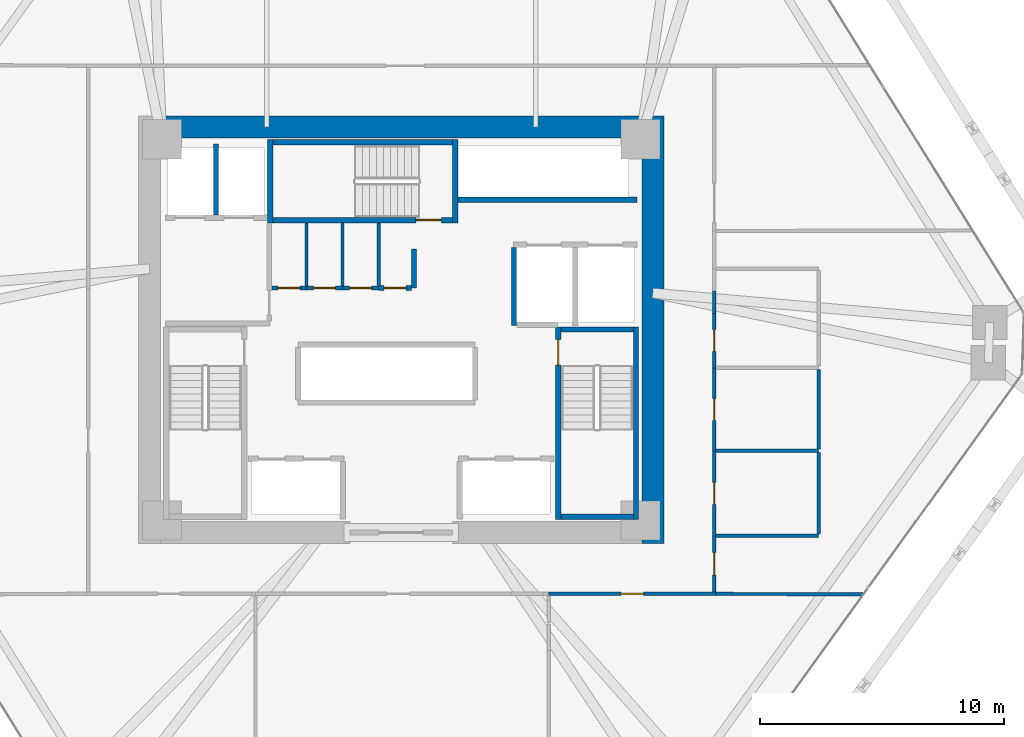
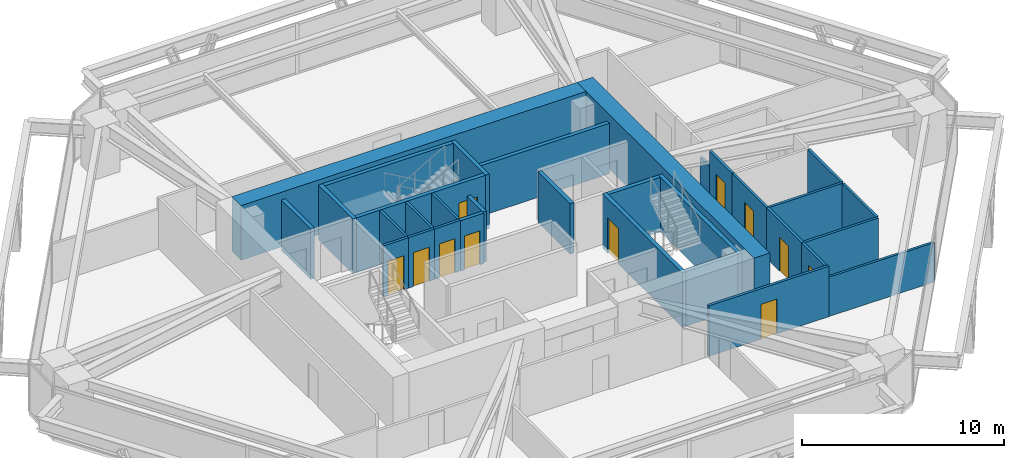
# One storey, part 12 of 14: 32 walls, 11 doors, 11 openings.
"""IFC4 building model written with IfcOpenShell, lengths in metres."""

from ifc_helpers import new_model, si_unit, direction, frame, frame_2d, origin, place, context, subcontext, project, spatial, rectangle, extrude, source, transform, mapped, material, layer, layer_set, type_object, type_shapes, element, fill, save


model = new_model("IFC4")

# Units and contexts
model_context = context("Model", 3, precision=1e-05, world=origin(), true_north=direction((0.0, 1.0)))
body_context = subcontext(model_context, "Body", "Model", "MODEL_VIEW")
ifc_project = project(units=[si_unit("LENGTHUNIT", "METRE"), si_unit("AREAUNIT", "SQUARE_METRE"), si_unit("VOLUMEUNIT", "CUBIC_METRE"), si_unit("PLANEANGLEUNIT", "RADIAN"), si_unit("MASSUNIT", "GRAM", prefix="KILO")], contexts=[model_context])

# Site, building, storey
site_placement = place(None, origin())
site = spatial("IfcSite", under=ifc_project, at=site_placement, CompositionType="ELEMENT")
building_placement = place(site_placement, origin())
building = spatial("IfcBuilding", under=site, at=building_placement, Name="Durnholm Broadcast Tower", CompositionType="ELEMENT")
storey_placement = place(building_placement, frame((0.0, 0.0, 68.699951171875)))
storey = spatial("IfcBuildingStorey", under=building, at=storey_placement, Name="L17", CompositionType="ELEMENT", Elevation=68.699951171875)

# Walls
ifc_material_1 = material(Name="Concrete C70/85", Category="concrete")
ifc_layer_1 = layer(ifc_material_1, 0.89990234375)
ifc_layer_set_1 = layer_set([ifc_layer_1], Name="Concrete C70/85")
wall_type_1 = type_object("IfcWallType", Name="WALL-CW-900", PredefinedType="SHEAR", material=ifc_layer_set_1)
wall_1_placement = place(storey_placement, frame((10.300048828125, -8.75, 0.0), z_axis=(0.0, 0.0, 1.0), x_axis=(0.0, 1.0, 0.0)))
element("IfcWall", 1, at=wall_1_placement, inside=storey, type_object=wall_type_1, Name="L17 central core shear wall CW-EAST", PredefinedType="SHEAR", context=body_context, shape_type="SweptSolid", body=[
    extrude(rectangle(XDim=17.5, YDim=0.89990234375, at=frame_2d((8.75, 0.0))), origin(), (0.0, 0.0, 1.0), 3.300048828125),
])
wall_2_placement = place(storey_placement, frame((-9.85009765625, 8.300048828125, 0.0), z_axis=(0.0, 0.0, 1.0), x_axis=(1.0, 0.0, 0.0)))
element("IfcWall", 2, at=wall_2_placement, inside=storey, type_object=wall_type_1, Name="L17 central core shear wall CW-N", PredefinedType="SHEAR", context=body_context, shape_type="SweptSolid", body=[
    extrude(rectangle(XDim=19.7001953125, YDim=0.89990234375, at=frame_2d((9.85009765625, 0.0))), origin(), (0.0, 0.0, 1.0), 3.300048828125),
])
ifc_material_2 = material(Name="Fire-Rated Gypsum Shaftwall", Category="concrete")
ifc_layer_2 = layer(ifc_material_2, 0.199951171875)
ifc_layer_set_2 = layer_set([ifc_layer_2], Name="Fire-Rated Gypsum Shaftwall")
wall_type_2 = type_object("IfcWallType", Name="WALL-LOB-200", PredefinedType="SOLIDWALL", material=ifc_layer_set_2)
wall_3_placement = place(storey_placement, frame((0.52001953125, 3.300048828125, 0.0), z_axis=(0.0, 0.0, 1.0), x_axis=(0.0, -1.0, 0.0)))
element("IfcWall", 3, at=wall_3_placement, inside=storey, type_object=wall_type_2, Name="L17 Core Signal Sync Room corridor partition", PredefinedType="SOLIDWALL", context=body_context, shape_type="SweptSolid", body=[
    extrude(rectangle(XDim=1.590087890625, YDim=0.199951171875, at=frame_2d((0.794921875, 0.0))), origin(), (0.0, 0.0, 1.0), 3.045166015625),
])

# Wall, opening, door
wall_4_placement = place(storey_placement, frame((0.416015625, 1.7099609375, 0.0), z_axis=(0.0, 0.0, 1.0), x_axis=(-1.0, 0.0, 0.0)))
wall_4 = element("IfcWall", 4, at=wall_4_placement, inside=storey, type_object=wall_type_2, Name="L17 Core Signal Sync Room corridor partition", PredefinedType="SOLIDWALL", context=body_context, shape_type="SweptSolid", body=[
    extrude(rectangle(XDim=1.3359375, YDim=0.199951171875, at=frame_2d((0.66796875, 0.0))), origin(), (0.0, 0.0, 1.0), 3.045166015625),
])
opening_1_placement = place(wall_4_placement, frame((0.218017578125, 0.0, 0.0)))
opening_1 = element("IfcOpeningElement", 5, at=opening_1_placement, cuts=wall_4, Name="Opening DC-60L", PredefinedType="OPENING", context=body_context, shape_type="SweptSolid", body=[
    extrude(rectangle(XDim=0.89990234375, YDim=2.050048828125, at=frame_2d((0.449951171875, 1.02490234375))), frame((0.0, 0.10986328125, 0.0), z_axis=(0.0, -1.0, 0.0), x_axis=(1.0, 0.0, 0.0)), (0.0, 0.0, 1.0), 0.219970703125),
])
ifc_material_3 = material(Name="Fire-Rated Core Service Door", Category="steel")
ifc_layer_3 = layer(ifc_material_3, 0.050048828125)
ifc_layer_set_3 = layer_set([ifc_layer_3], Name="Fire-Rated Core Service Door")
door_type_1 = type_object("IfcDoorType", Name="DOOR-CORE-FD60-L", OperationType="NOTDEFINED", PredefinedType="DOOR", material=ifc_layer_set_3)
shared_shape_1 = source(origin(), body_context, "Body", "SweptSolid", [
    extrude(rectangle(XDim=0.89990234375, YDim=2.050048828125, at=frame_2d((0.449951171875, 1.02490234375))), frame((0.0, 0.02490234375, 0.0), z_axis=(0.0, -1.0, 0.0), x_axis=(1.0, 0.0, 0.0)), (0.0, 0.0, 1.0), 0.050048828125),
])
type_shapes(door_type_1, [shared_shape_1])
door_1_placement = place(opening_1_placement, origin())
door_1 = element("IfcDoor", 6, at=door_1_placement, inside=storey, type_object=door_type_1, Name="L17 Core Signal Sync Room entrance door", OperationType="SINGLE_SWING_LEFT", OverallHeight=2.050048828125, OverallWidth=0.89990234375, PredefinedType="DOOR", context=body_context, shape_type="MappedRepresentation", body=[
    mapped(shared_shape_1, transform((0.0, 0.0, 0.0), x_axis=(1.0, 0.0, 0.0), y_axis=(0.0, 1.0, 0.0), z_axis=(0.0, 0.0, 1.0), scale=1.0)),
])
fill(opening_1, door_1)

# Walls
ifc_material_4 = material(Name="Gypsum Metal Stud Partition", Category="concrete")
ifc_layer_4 = layer(ifc_material_4, 0.135009765625)
ifc_layer_set_4 = layer_set([ifc_layer_4], Name="Gypsum Metal Stud Partition")
wall_type_3 = type_object("IfcWallType", Name="WALL-PART-135", PredefinedType="PARTITIONING", material=ifc_layer_set_4)
for number, where, z_axis, x_axis, name in (
    (7, (-3.8798828125, 4.375, 0.0), (0.0, 0.0, 1.0), (0.0, -1.0, 0.0), "L17 room dividing partition 1.2"),
    (8, (-2.39990234375, 4.375, 0.0), (0.0, 0.0, 1.0), (0.0, -1.0, 0.0), "L17 room dividing partition 2.3"),
):
    element("IfcWall", number, at=place(storey_placement, frame(where, z_axis=z_axis, x_axis=x_axis)), inside=storey, type_object=wall_type_3, Name=name, PredefinedType="PARTITIONING", context=body_context, shape_type="SweptSolid", body=[
        extrude(rectangle(XDim=2.5859375, YDim=0.135009765625, at=frame_2d((1.29296875, 0.0))), origin(), (0.0, 0.0, 1.0), 3.045166015625),
    ])
wall_5_placement = place(storey_placement, frame((-0.919921875, 4.375, 0.0), z_axis=(0.0, 0.0, 1.0), x_axis=(0.0, -1.0, 0.0)))
element("IfcWall", 9, at=wall_5_placement, inside=storey, type_object=wall_type_3, Name="L17 room dividing partition 3.4", PredefinedType="PARTITIONING", context=body_context, shape_type="SweptSolid", body=[
    extrude(rectangle(XDim=2.56103515625, YDim=0.135009765625, at=frame_2d((1.280517578125, 0.0))), origin(), (0.0, 0.0, 1.0), 3.045166015625),
])
wall_6_placement = place(storey_placement, frame((12.889892578125, -10.810302734375, 0.0), z_axis=(0.0, 0.0, 1.0), x_axis=(0.999992607823, -0.003845035728, 0.0)))
element("IfcWall", 10, at=wall_6_placement, inside=storey, type_object=wall_type_3, Name="L17 room dividing partition 11.13", PredefinedType="PARTITIONING", context=body_context, shape_type="SweptSolid", body=[
    extrude(rectangle(XDim=6.031982421875, YDim=0.135009765625, at=frame_2d((3.01611328125, 0.0))), origin(), (0.0, 0.0, 1.0), 2.380126953125),
])

# Wall, opening, door
ifc_material_5 = material(Name="Acoustic Gypsum Stud Partition", Category="concrete")
ifc_layer_5 = layer(ifc_material_5, 0.14990234375)
ifc_layer_set_5 = layer_set([ifc_layer_5], Name="Acoustic Gypsum Stud Partition")
wall_type_4 = type_object("IfcWallType", Name="WALL-PART-150", PredefinedType="PARTITIONING", material=ifc_layer_set_5)
wall_7_placement = place(storey_placement, frame((-3.8798828125, 1.7099609375, 0.0), z_axis=(0.0, 0.0, 1.0), x_axis=(-1.0, 0.0, 0.0)))
wall_7 = element("IfcWall", 11, at=wall_7_placement, inside=storey, type_object=wall_type_4, Name="L17 Core First Aid Store corridor partition", PredefinedType="PARTITIONING", context=body_context, shape_type="SweptSolid", body=[
    extrude(rectangle(XDim=1.416015625, YDim=0.14990234375, at=frame_2d((0.7080078125, 0.0))), origin(), (0.0, 0.0, 1.0), 3.045166015625),
])
opening_2_placement = place(wall_7_placement, frame((0.258056640625, 0.0, 0.0)))
opening_2 = element("IfcOpeningElement", 12, at=opening_2_placement, cuts=wall_7, Name="Opening DC-60R", PredefinedType="OPENING", context=body_context, shape_type="SweptSolid", body=[
    extrude(rectangle(XDim=0.89990234375, YDim=2.050048828125, at=frame_2d((0.449951171875, 1.02490234375))), frame((0.0, 0.0849609375, 0.0), z_axis=(0.0, -1.0, 0.0), x_axis=(1.0, 0.0, 0.0)), (0.0, 0.0, 1.0), 0.169921875),
])
ifc_layer_6 = layer(ifc_material_3, 0.050048828125)
ifc_layer_set_6 = layer_set([ifc_layer_6], Name="Fire-Rated Core Service Door")
door_type_2 = type_object("IfcDoorType", Name="DOOR-CORE-FD60-R", OperationType="NOTDEFINED", PredefinedType="DOOR", material=ifc_layer_set_6)
shared_shape_2 = source(origin(), body_context, "Body", "SweptSolid", [
    extrude(rectangle(XDim=0.89990234375, YDim=2.050048828125, at=frame_2d((0.449951171875, 1.02490234375))), frame((0.0, 0.02490234375, 0.0), z_axis=(0.0, -1.0, 0.0), x_axis=(1.0, 0.0, 0.0)), (0.0, 0.0, 1.0), 0.050048828125),
])
type_shapes(door_type_2, [shared_shape_2])
door_2_placement = place(opening_2_placement, origin())
door_2 = element("IfcDoor", 13, at=door_2_placement, inside=storey, type_object=door_type_2, Name="L17 Core First Aid Store entrance door", OperationType="SINGLE_SWING_RIGHT", OverallHeight=2.050048828125, OverallWidth=0.89990234375, PredefinedType="DOOR", context=body_context, shape_type="MappedRepresentation", body=[
    mapped(shared_shape_2, transform((0.0, 0.0, 0.0), x_axis=(1.0, 0.0, 0.0), y_axis=(0.0, 1.0, 0.0), z_axis=(0.0, 0.0, 1.0), scale=1.0)),
])
fill(opening_2, door_2)

wall_8_placement = place(storey_placement, frame((-2.39990234375, 1.7099609375, 0.0), z_axis=(0.0, 0.0, 1.0), x_axis=(-1.0, 0.0, 0.0)))
wall_8 = element("IfcWall", 14, at=wall_8_placement, inside=storey, type_object=wall_type_4, Name="L17 Core Linen Supply Closet corridor partition", PredefinedType="PARTITIONING", context=body_context, shape_type="SweptSolid", body=[
    extrude(rectangle(XDim=1.47998046875, YDim=0.14990234375, at=frame_2d((0.739990234375, 0.0))), origin(), (0.0, 0.0, 1.0), 3.045166015625),
])
opening_3_placement = place(wall_8_placement, frame((0.2900390625, 0.0, 0.0)))
opening_3 = element("IfcOpeningElement", 15, at=opening_3_placement, cuts=wall_8, Name="Opening DC-60L", PredefinedType="OPENING", context=body_context, shape_type="SweptSolid", body=[
    extrude(rectangle(XDim=0.89990234375, YDim=2.050048828125, at=frame_2d((0.449951171875, 1.02490234375))), frame((0.0, 0.0849609375, 0.0), z_axis=(0.0, -1.0, 0.0), x_axis=(1.0, 0.0, 0.0)), (0.0, 0.0, 1.0), 0.169921875),
])
door_3_placement = place(opening_3_placement, origin())
door_3 = element("IfcDoor", 16, at=door_3_placement, inside=storey, type_object=door_type_1, Name="L17 Core Linen Supply Closet entrance door", OperationType="SINGLE_SWING_LEFT", OverallHeight=2.050048828125, OverallWidth=0.89990234375, PredefinedType="DOOR", context=body_context, shape_type="MappedRepresentation", body=[
    mapped(shared_shape_1, transform((0.0, 0.0, 0.0), x_axis=(1.0, 0.0, 0.0), y_axis=(0.0, 1.0, 0.0), z_axis=(0.0, 0.0, 1.0), scale=1.0)),
])
fill(opening_3, door_3)

wall_9_placement = place(storey_placement, frame((-0.919921875, 1.7099609375, 0.0), z_axis=(0.0, 0.0, 1.0), x_axis=(-1.0, 0.0, 0.0)))
wall_9 = element("IfcWall", 17, at=wall_9_placement, inside=storey, type_object=wall_type_4, Name="L17 Core Safety Gear Store corridor partition", PredefinedType="PARTITIONING", context=body_context, shape_type="SweptSolid", body=[
    extrude(rectangle(XDim=1.47998046875, YDim=0.14990234375, at=frame_2d((0.739990234375, 0.0))), origin(), (0.0, 0.0, 1.0), 3.045166015625),
])
opening_4_placement = place(wall_9_placement, frame((0.2900390625, 0.0, 0.0)))
opening_4 = element("IfcOpeningElement", 18, at=opening_4_placement, cuts=wall_9, Name="Opening DC-60R", PredefinedType="OPENING", context=body_context, shape_type="SweptSolid", body=[
    extrude(rectangle(XDim=0.89990234375, YDim=2.050048828125, at=frame_2d((0.449951171875, 1.02490234375))), frame((0.0, 0.0849609375, 0.0), z_axis=(0.0, -1.0, 0.0), x_axis=(1.0, 0.0, 0.0)), (0.0, 0.0, 1.0), 0.169921875),
])
door_4_placement = place(opening_4_placement, origin())
door_4 = element("IfcDoor", 19, at=door_4_placement, inside=storey, type_object=door_type_2, Name="L17 Core Safety Gear Store entrance door", OperationType="SINGLE_SWING_RIGHT", OverallHeight=2.050048828125, OverallWidth=0.89990234375, PredefinedType="DOOR", context=body_context, shape_type="MappedRepresentation", body=[
    mapped(shared_shape_2, transform((0.0, 0.0, 0.0), x_axis=(1.0, 0.0, 0.0), y_axis=(0.0, 1.0, 0.0), z_axis=(0.0, 0.0, 1.0), scale=1.0)),
])
fill(opening_4, door_4)

wall_10_placement = place(storey_placement, frame((6.0400390625, -10.81005859375, 0.0), z_axis=(0.0, 0.0, 1.0), x_axis=(1.0, 0.0, 0.0)))
wall_10 = element("IfcWall", 20, at=wall_10_placement, inside=storey, type_object=wall_type_4, Name="L17 Open Plan Broadcast Workspace 5 corridor partition", PredefinedType="PARTITIONING", context=body_context, shape_type="SweptSolid", body=[
    extrude(rectangle(XDim=6.849853515625, YDim=0.14990234375, at=frame_2d((3.4248046875, 0.0))), origin(), (0.0, 0.0, 1.0), 3.045166015625),
])
opening_5_placement = place(wall_10_placement, frame((2.965087890625, 0.0, 0.0)))
opening_5 = element("IfcOpeningElement", 21, at=opening_5_placement, cuts=wall_10, Name="Opening DR-92R", PredefinedType="OPENING", context=body_context, shape_type="SweptSolid", body=[
    extrude(rectangle(XDim=0.919921875, YDim=2.10009765625, at=frame_2d((0.4599609375, 1.050048828125))), frame((0.0, 0.0849609375, 0.0), z_axis=(0.0, -1.0, 0.0), x_axis=(1.0, 0.0, 0.0)), (0.0, 0.0, 1.0), 0.169921875),
])
ifc_material_6 = material(Name="Oak Veneer Office Door", Category="wood")
ifc_layer_7 = layer(ifc_material_6, 0.050048828125)
ifc_layer_set_7 = layer_set([ifc_layer_7], Name="Oak Veneer Office Door")
door_type_3 = type_object("IfcDoorType", Name="DOOR-RM-920R", OperationType="NOTDEFINED", PredefinedType="DOOR", material=ifc_layer_set_7)
shared_shape_3 = source(origin(), body_context, "Body", "SweptSolid", [
    extrude(rectangle(XDim=0.919921875, YDim=2.10009765625, at=frame_2d((0.4599609375, 1.050048828125))), frame((0.0, 0.02490234375, 0.0), z_axis=(0.0, -1.0, 0.0), x_axis=(1.0, 0.0, 0.0)), (0.0, 0.0, 1.0), 0.050048828125),
])
type_shapes(door_type_3, [shared_shape_3])
door_5_placement = place(opening_5_placement, origin())
door_5 = element("IfcDoor", 22, at=door_5_placement, inside=storey, type_object=door_type_3, Name="L17 Open Plan Broadcast Workspace 5 entrance door", OperationType="SINGLE_SWING_RIGHT", OverallHeight=2.10009765625, OverallWidth=0.919921875, PredefinedType="DOOR", context=body_context, shape_type="MappedRepresentation", body=[
    mapped(shared_shape_3, transform((0.0, 0.0, 0.0), x_axis=(1.0, 0.0, 0.0), y_axis=(0.0, 1.0, 0.0), z_axis=(0.0, 0.0, 1.0), scale=1.0)),
])
fill(opening_5, door_5)

wall_11_placement = place(storey_placement, frame((12.81005859375, -10.73095703125, 0.0), z_axis=(0.0, 0.0, 1.0), x_axis=(0.0, 1.0, 0.0)))
wall_11 = element("IfcWall", 23, at=wall_11_placement, inside=storey, type_object=wall_type_4, Name="L17 Open Plan Broadcast Workspace 1 corridor partition", PredefinedType="PARTITIONING", context=body_context, shape_type="SweptSolid", body=[
    extrude(rectangle(XDim=2.291015625, YDim=0.14990234375, at=frame_2d((1.1455078125, 0.0))), origin(), (0.0, 0.0, 1.0), 3.045166015625),
])
opening_6_placement = place(wall_11_placement, frame((0.685546875, 0.0, 0.0)))
opening_6 = element("IfcOpeningElement", 24, at=opening_6_placement, cuts=wall_11, Name="Opening DR-92R", PredefinedType="OPENING", context=body_context, shape_type="SweptSolid", body=[
    extrude(rectangle(XDim=0.919921875, YDim=2.10009765625, at=frame_2d((0.4599609375, 1.050048828125))), frame((0.0, 0.0849609375, 0.0), z_axis=(0.0, -1.0, 0.0), x_axis=(1.0, 0.0, 0.0)), (0.0, 0.0, 1.0), 0.169921875),
])
door_6_placement = place(opening_6_placement, origin())
door_6 = element("IfcDoor", 25, at=door_6_placement, inside=storey, type_object=door_type_3, Name="L17 Open Plan Broadcast Workspace 1 entrance door", OperationType="SINGLE_SWING_RIGHT", OverallHeight=2.10009765625, OverallWidth=0.919921875, PredefinedType="DOOR", context=body_context, shape_type="MappedRepresentation", body=[
    mapped(shared_shape_3, transform((0.0, 0.0, 0.0), x_axis=(1.0, 0.0, 0.0), y_axis=(0.0, 1.0, 0.0), z_axis=(0.0, 0.0, 1.0), scale=1.0)),
])
fill(opening_6, door_6)

# Walls
ifc_material_7 = material(Name="Concrete Blockwork C30/37", Category="masonry")
ifc_layer_8 = layer(ifc_material_7, 0.219970703125)
ifc_layer_set_8 = layer_set([ifc_layer_8], Name="Concrete Blockwork C30/37")
wall_type_5 = type_object("IfcWallType", Name="WALL-SHAFT-220", PredefinedType="SOLIDWALL", material=ifc_layer_set_8)
wall_12_placement = place(storey_placement, frame((-7.580078125, 4.694091796875, 0.0), z_axis=(0.0, 0.0, 1.0), x_axis=(0.0, 1.0, 0.0)))
element("IfcWall", 26, at=wall_12_placement, inside=storey, type_object=wall_type_5, Name="L17 FSAE shaft divider wall", PredefinedType="SOLIDWALL", context=body_context, shape_type="SweptSolid", body=[
    extrude(rectangle(XDim=2.906005859375, YDim=0.219970703125, at=frame_2d((1.453125, 0.0))), origin(), (0.0, 0.0, 1.0), 3.045166015625),
])
wall_13_placement = place(storey_placement, frame((4.6201171875, 0.179931640625, 0.0), z_axis=(0.0, 0.0, 1.0), x_axis=(0.0, 1.0, 0.0)))
element("IfcWall", 27, at=wall_13_placement, inside=storey, type_object=wall_type_5, Name="L17 freight service lift SVL-2 west wall", PredefinedType="SOLIDWALL", context=body_context, shape_type="SweptSolid", body=[
    extrude(rectangle(XDim=3.18603515625, YDim=0.219970703125, at=frame_2d((1.593017578125, 0.0))), origin(), (0.0, 0.0, 1.0), 3.045166015625),
])
wall_14_placement = place(storey_placement, frame((2.324951171875, 5.320068359375, 0.0), z_axis=(0.0, 0.0, 1.0), x_axis=(1.0, 0.0, 0.0)))
element("IfcWall", 28, at=wall_14_placement, inside=storey, type_object=wall_type_5, Name="L17 high-rise bank P3 south front wall", PredefinedType="SOLIDWALL", context=body_context, shape_type="SweptSolid", body=[
    extrude(rectangle(XDim=7.324951171875, YDim=0.219970703125, at=frame_2d((3.66259765625, 0.0))), origin(), (0.0, 0.0, 1.0), 3.045166015625),
])
ifc_material_8 = material(Name="Concrete C50/60", Category="concrete")
ifc_layer_9 = layer(ifc_material_8, 0.219970703125)
ifc_layer_set_9 = layer_set([ifc_layer_9], Name="Concrete C50/60")
wall_type_6 = type_object("IfcWallType", Name="WALL-SW-220", PredefinedType="SHEAR", material=ifc_layer_set_9)
wall_15_placement = place(storey_placement, frame((9.610107421875, -7.77001953125, -0.239990234375), z_axis=(0.0, 0.0, 1.0), x_axis=(0.0, 1.0, 0.0)))
element("IfcWall", 29, at=wall_15_placement, inside=storey, type_object=wall_type_6, Name="L17 stair ST-2 structural shaft wall E", PredefinedType="SHEAR", context=body_context, shape_type="SweptSolid", body=[
    extrude(rectangle(XDim=7.89013671875, YDim=0.219970703125, at=frame_2d((3.945068359375, 0.0))), origin(), (0.0, 0.0, 1.0), 3.300048828125),
])

# Wall, opening, door
wall_16_placement = place(storey_placement, frame((6.429931640625, 0.1201171875, -0.239990234375), z_axis=(0.0, 0.0, 1.0), x_axis=(0.0, -1.0, 0.0)))
wall_16 = element("IfcWall", 30, at=wall_16_placement, inside=storey, type_object=wall_type_6, Name="L17 stair ST-2 structural shaft wall W", PredefinedType="SHEAR", context=body_context, shape_type="SweptSolid", body=[
    extrude(rectangle(XDim=7.89013671875, YDim=0.219970703125, at=frame_2d((3.945068359375, 0.0))), origin(), (0.0, 0.0, 1.0), 3.300048828125),
])
opening_7_placement = place(wall_16_placement, frame((0.52001953125, 0.0, 0.0)))
opening_7 = element("IfcOpeningElement", 31, at=opening_7_placement, cuts=wall_16, Name="Opening DS-90R", PredefinedType="OPENING", context=body_context, shape_type="SweptSolid", body=[
    extrude(rectangle(XDim=1.050048828125, YDim=2.14990234375, at=frame_2d((0.52490234375, 1.074951171875))), frame((0.0, 0.1201171875, 0.0), z_axis=(0.0, -1.0, 0.0), x_axis=(1.0, 0.0, 0.0)), (0.0, 0.0, 1.0), 0.239990234375),
])
ifc_material_9 = material(Name="Fire-Rated Steel Door", Category="steel")
ifc_layer_10 = layer(ifc_material_9, 0.050048828125)
ifc_layer_set_10 = layer_set([ifc_layer_10], Name="Fire-Rated Steel Door")
door_type_4 = type_object("IfcDoorType", Name="DOOR-ST-FD90-R", OperationType="NOTDEFINED", PredefinedType="DOOR", material=ifc_layer_set_10)
shared_shape_4 = source(origin(), body_context, "Body", "SweptSolid", [
    extrude(rectangle(XDim=1.050048828125, YDim=2.14990234375, at=frame_2d((0.52490234375, 1.074951171875))), frame((0.0, 0.02490234375, 0.0), z_axis=(0.0, -1.0, 0.0), x_axis=(1.0, 0.0, 0.0)), (0.0, 0.0, 1.0), 0.050048828125),
])
type_shapes(door_type_4, [shared_shape_4])
door_7_placement = place(opening_7_placement, origin())
door_7 = element("IfcDoor", 32, at=door_7_placement, inside=storey, type_object=door_type_4, Name="L17 exit stair ST-2 fire door", OperationType="SINGLE_SWING_RIGHT", OverallHeight=2.14990234375, OverallWidth=1.050048828125, PredefinedType="DOOR", context=body_context, shape_type="MappedRepresentation", body=[
    mapped(shared_shape_4, transform((0.0, 0.0, 0.0), x_axis=(1.0, 0.0, 0.0), y_axis=(0.0, 1.0, 0.0), z_axis=(0.0, 0.0, 1.0), scale=1.0)),
])
fill(opening_7, door_7)

# Walls
for number, where, z_axis, x_axis, name in (
    (33, (6.5400390625, -7.659912109375, -0.239990234375), (0.0, 0.0, 1.0), (1.0, 0.0, 0.0), "L17 stair ST-2 structural shaft wall S"),
    (34, (9.5, 0.010009765625, -0.239990234375), (0.0, 0.0, 1.0), (-1.0, 0.0, 0.0), "L17 stair ST-2 structural shaft wall N"),
):
    element("IfcWall", number, at=place(storey_placement, frame(where, z_axis=z_axis, x_axis=x_axis)), inside=storey, type_object=wall_type_6, Name=name, PredefinedType="SHEAR", context=body_context, shape_type="SweptSolid", body=[
        extrude(rectangle(XDim=2.9599609375, YDim=0.219970703125, at=frame_2d((1.47998046875, 0.0))), origin(), (0.0, 0.0, 1.0), 3.300048828125),
    ])
for number, where, z_axis, x_axis, name in (
    (35, (2.2099609375, 4.3798828125, -0.239990234375), (0.0, 0.0, 1.0), (0.0, 1.0, 0.0), "L17 stair ST-3 structural shaft wall E"),
    (36, (-5.360107421875, 7.780029296875, -0.239990234375), (0.0, 0.0, 1.0), (0.0, -1.0, 0.0), "L17 stair ST-3 structural shaft wall W"),
):
    element("IfcWall", number, at=place(storey_placement, frame(where, z_axis=z_axis, x_axis=x_axis)), inside=storey, type_object=wall_type_6, Name=name, PredefinedType="SHEAR", context=body_context, shape_type="SweptSolid", body=[
        extrude(rectangle(XDim=3.400146484375, YDim=0.219970703125, at=frame_2d((1.7001953125, 0.0))), origin(), (0.0, 0.0, 1.0), 3.300048828125),
    ])

# Wall, opening, door
wall_17_placement = place(storey_placement, frame((-5.25, 4.489990234375, -0.239990234375), z_axis=(0.0, 0.0, 1.0), x_axis=(1.0, 0.0, 0.0)))
wall_17 = element("IfcWall", 37, at=wall_17_placement, inside=storey, type_object=wall_type_6, Name="L17 stair ST-3 structural shaft wall S", PredefinedType="SHEAR", context=body_context, shape_type="SweptSolid", body=[
    extrude(rectangle(XDim=7.35009765625, YDim=0.219970703125, at=frame_2d((3.675048828125, 0.0))), origin(), (0.0, 0.0, 1.0), 3.300048828125),
])
opening_8_placement = place(wall_17_placement, frame((5.85009765625, 0.0, 0.0)))
opening_8 = element("IfcOpeningElement", 38, at=opening_8_placement, cuts=wall_17, Name="Opening DS-90L", PredefinedType="OPENING", context=body_context, shape_type="SweptSolid", body=[
    extrude(rectangle(XDim=1.050048828125, YDim=2.14990234375, at=frame_2d((0.52490234375, 1.074951171875))), frame((0.0, 0.1201171875, 0.0), z_axis=(0.0, -1.0, 0.0), x_axis=(1.0, 0.0, 0.0)), (0.0, 0.0, 1.0), 0.239990234375),
])
ifc_layer_11 = layer(ifc_material_9, 0.050048828125)
ifc_layer_set_11 = layer_set([ifc_layer_11], Name="Fire-Rated Steel Door")
door_type_5 = type_object("IfcDoorType", Name="DOOR-ST-FD90-L", OperationType="NOTDEFINED", PredefinedType="DOOR", material=ifc_layer_set_11)
shared_shape_5 = source(origin(), body_context, "Body", "SweptSolid", [
    extrude(rectangle(XDim=1.050048828125, YDim=2.14990234375, at=frame_2d((0.52490234375, 1.074951171875))), frame((0.0, 0.02490234375, 0.0), z_axis=(0.0, -1.0, 0.0), x_axis=(1.0, 0.0, 0.0)), (0.0, 0.0, 1.0), 0.050048828125),
])
type_shapes(door_type_5, [shared_shape_5])
door_8_placement = place(opening_8_placement, origin())
door_8 = element("IfcDoor", 39, at=door_8_placement, inside=storey, type_object=door_type_5, Name="L17 exit stair ST-3 fire door", OperationType="SINGLE_SWING_LEFT", OverallHeight=2.14990234375, OverallWidth=1.050048828125, PredefinedType="DOOR", context=body_context, shape_type="MappedRepresentation", body=[
    mapped(shared_shape_5, transform((0.0, 0.0, 0.0), x_axis=(1.0, 0.0, 0.0), y_axis=(0.0, 1.0, 0.0), z_axis=(0.0, 0.0, 1.0), scale=1.0)),
])
fill(opening_8, door_8)

# Wall
wall_18_placement = place(storey_placement, frame((2.10009765625, 7.669921875, -0.239990234375), z_axis=(0.0, 0.0, 1.0), x_axis=(-1.0, 0.0, 0.0)))
element("IfcWall", 40, at=wall_18_placement, inside=storey, type_object=wall_type_6, Name="L17 stair ST-3 structural shaft wall N", PredefinedType="SHEAR", context=body_context, shape_type="SweptSolid", body=[
    extrude(rectangle(XDim=7.35009765625, YDim=0.219970703125, at=frame_2d((3.675048828125, 0.0))), origin(), (0.0, 0.0, 1.0), 3.300048828125),
])

# Wall, opening, door
ifc_material_10 = material(Name="Moisture-Resistant Tile Partition", Category="concrete")
ifc_layer_12 = layer(ifc_material_10, 0.139892578125)
ifc_layer_set_12 = layer_set([ifc_layer_12], Name="Moisture-Resistant Tile Partition")
wall_type_7 = type_object("IfcWallType", Name="WALL-WC-140", PredefinedType="PARTITIONING", material=ifc_layer_set_12)
wall_19_placement = place(storey_placement, frame((12.81005859375, -8.43994140625, 0.0), z_axis=(0.0, 0.0, 1.0), x_axis=(0.0, 1.0, 0.0)))
wall_19 = element("IfcWall", 41, at=wall_19_placement, inside=storey, type_object=wall_type_7, Name="L17 Men's Restroom corridor partition", PredefinedType="PARTITIONING", context=body_context, shape_type="SweptSolid", body=[
    extrude(rectangle(XDim=3.47998046875, YDim=0.139892578125, at=frame_2d((1.739990234375, 0.0))), origin(), (0.0, 0.0, 1.0), 3.045166015625),
])
opening_9_placement = place(wall_19_placement, frame((1.2900390625, 0.0, 0.0)))
opening_9 = element("IfcOpeningElement", 42, at=opening_9_placement, cuts=wall_19, Name="Opening DW-90R", PredefinedType="OPENING", context=body_context, shape_type="SweptSolid", body=[
    extrude(rectangle(XDim=0.89990234375, YDim=2.050048828125, at=frame_2d((0.449951171875, 1.02490234375))), frame((0.0, 0.080078125, 0.0), z_axis=(0.0, -1.0, 0.0), x_axis=(1.0, 0.0, 0.0)), (0.0, 0.0, 1.0), 0.159912109375),
])
ifc_material_11 = material(Name="Laminate Restroom Door", Category="steel")
ifc_layer_13 = layer(ifc_material_11, 0.050048828125)
ifc_layer_set_13 = layer_set([ifc_layer_13], Name="Laminate Restroom Door")
door_type_6 = type_object("IfcDoorType", Name="DOOR-WC-900R", OperationType="NOTDEFINED", PredefinedType="DOOR", material=ifc_layer_set_13)
shared_shape_6 = source(origin(), body_context, "Body", "SweptSolid", [
    extrude(rectangle(XDim=0.89990234375, YDim=2.050048828125, at=frame_2d((0.449951171875, 1.02490234375))), frame((0.0, 0.02490234375, 0.0), z_axis=(0.0, -1.0, 0.0), x_axis=(1.0, 0.0, 0.0)), (0.0, 0.0, 1.0), 0.050048828125),
])
type_shapes(door_type_6, [shared_shape_6])
door_9_placement = place(opening_9_placement, origin())
door_9 = element("IfcDoor", 43, at=door_9_placement, inside=storey, type_object=door_type_6, Name="L17 Men's Restroom entrance door", OperationType="SINGLE_SWING_RIGHT", OverallHeight=2.050048828125, OverallWidth=0.89990234375, PredefinedType="DOOR", context=body_context, shape_type="MappedRepresentation", body=[
    mapped(shared_shape_6, transform((0.0, 0.0, 0.0), x_axis=(1.0, 0.0, 0.0), y_axis=(0.0, 1.0, 0.0), z_axis=(0.0, 0.0, 1.0), scale=1.0)),
])
fill(opening_9, door_9)

wall_20_placement = place(storey_placement, frame((12.81005859375, -4.9599609375, 0.0), z_axis=(0.0, 0.0, 1.0), x_axis=(0.0, 1.0, 0.0)))
wall_20 = element("IfcWall", 44, at=wall_20_placement, inside=storey, type_object=wall_type_7, Name="L17 Women's Restroom corridor partition", PredefinedType="PARTITIONING", context=body_context, shape_type="SweptSolid", body=[
    extrude(rectangle(XDim=3.39990234375, YDim=0.139892578125, at=frame_2d((1.699951171875, 0.0))), origin(), (0.0, 0.0, 1.0), 3.045166015625),
])
opening_10_placement = place(wall_20_placement, frame((1.25, 0.0, 0.0)))
opening_10 = element("IfcOpeningElement", 45, at=opening_10_placement, cuts=wall_20, Name="Opening DW-90L", PredefinedType="OPENING", context=body_context, shape_type="SweptSolid", body=[
    extrude(rectangle(XDim=0.89990234375, YDim=2.050048828125, at=frame_2d((0.449951171875, 1.02490234375))), frame((0.0, 0.080078125, 0.0), z_axis=(0.0, -1.0, 0.0), x_axis=(1.0, 0.0, 0.0)), (0.0, 0.0, 1.0), 0.159912109375),
])
ifc_layer_14 = layer(ifc_material_11, 0.050048828125)
ifc_layer_set_14 = layer_set([ifc_layer_14], Name="Laminate Restroom Door")
door_type_7 = type_object("IfcDoorType", Name="DOOR-WC-900L", OperationType="NOTDEFINED", PredefinedType="DOOR", material=ifc_layer_set_14)
shared_shape_7 = source(origin(), body_context, "Body", "SweptSolid", [
    extrude(rectangle(XDim=0.89990234375, YDim=2.050048828125, at=frame_2d((0.449951171875, 1.02490234375))), frame((0.0, 0.02490234375, 0.0), z_axis=(0.0, -1.0, 0.0), x_axis=(1.0, 0.0, 0.0)), (0.0, 0.0, 1.0), 0.050048828125),
])
type_shapes(door_type_7, [shared_shape_7])
door_10_placement = place(opening_10_placement, origin())
door_10 = element("IfcDoor", 46, at=door_10_placement, inside=storey, type_object=door_type_7, Name="L17 Women's Restroom entrance door", OperationType="SINGLE_SWING_LEFT", OverallHeight=2.050048828125, OverallWidth=0.89990234375, PredefinedType="DOOR", context=body_context, shape_type="MappedRepresentation", body=[
    mapped(shared_shape_7, transform((0.0, 0.0, 0.0), x_axis=(1.0, 0.0, 0.0), y_axis=(0.0, 1.0, 0.0), z_axis=(0.0, 0.0, 1.0), scale=1.0)),
])
fill(opening_10, door_10)

wall_21_placement = place(storey_placement, frame((12.81005859375, -1.56005859375, 0.0), z_axis=(0.0, 0.0, 1.0), x_axis=(0.0, 1.0, 0.0)))
wall_21 = element("IfcWall", 47, at=wall_21_placement, inside=storey, type_object=wall_type_7, Name="L17 Accessible Restroom corridor partition", PredefinedType="PARTITIONING", context=body_context, shape_type="SweptSolid", body=[
    extrude(rectangle(XDim=2.231201171875, YDim=0.139892578125, at=frame_2d((1.11572265625, 0.0))), origin(), (0.0, 0.0, 1.0), 3.045166015625),
])
opening_11_placement = place(wall_21_placement, frame((0.66552734375, 0.0, 0.0)))
opening_11 = element("IfcOpeningElement", 48, at=opening_11_placement, cuts=wall_21, Name="Opening DW-90R", PredefinedType="OPENING", context=body_context, shape_type="SweptSolid", body=[
    extrude(rectangle(XDim=0.89990234375, YDim=2.050048828125, at=frame_2d((0.449951171875, 1.02490234375))), frame((0.0, 0.080078125, 0.0), z_axis=(0.0, -1.0, 0.0), x_axis=(1.0, 0.0, 0.0)), (0.0, 0.0, 1.0), 0.159912109375),
])
door_11_placement = place(opening_11_placement, origin())
door_11 = element("IfcDoor", 49, at=door_11_placement, inside=storey, type_object=door_type_6, Name="L17 Accessible Restroom entrance door", OperationType="SINGLE_SWING_RIGHT", OverallHeight=2.050048828125, OverallWidth=0.89990234375, PredefinedType="DOOR", context=body_context, shape_type="MappedRepresentation", body=[
    mapped(shared_shape_6, transform((0.0, 0.0, 0.0), x_axis=(1.0, 0.0, 0.0), y_axis=(0.0, 1.0, 0.0), z_axis=(0.0, 0.0, 1.0), scale=1.0)),
])
fill(opening_11, door_11)

# Walls
wall_22_placement = place(storey_placement, frame((12.81005859375, 0.671142578125, 0.0), z_axis=(0.0, 0.0, 1.0), x_axis=(0.0, 1.0, 0.0)))
element("IfcWall", 50, at=wall_22_placement, inside=storey, type_object=wall_type_7, Name="L17 Accessible Restroom corridor partition", PredefinedType="PARTITIONING", context=body_context, shape_type="SweptSolid", body=[
    extrude(rectangle(XDim=0.91357421875, YDim=0.139892578125, at=frame_2d((0.456787109375, 0.0))), origin(), (0.0, 0.0, 1.0), 2.130126953125),
])
wall_23_placement = place(storey_placement, frame((12.884033203125, -4.9599609375, 0.0), z_axis=(0.0, 0.0, 1.0), x_axis=(1.0, 0.0, 0.0)))
element("IfcWall", 51, at=wall_23_placement, inside=storey, type_object=wall_type_7, Name="L17 room dividing partition 5.6", PredefinedType="PARTITIONING", context=body_context, shape_type="SweptSolid", body=[
    extrude(rectangle(XDim=4.2060546875, YDim=0.139892578125, at=frame_2d((2.10302734375, 0.0))), origin(), (0.0, 0.0, 1.0), 3.045166015625),
])
wall_24_placement = place(storey_placement, frame((17.090087890625, -8.43994140625, 0.0), z_axis=(0.0, 0.0, 1.0), x_axis=(-1.0, 0.0, 0.0)))
element("IfcWall", 52, at=wall_24_placement, inside=storey, type_object=wall_type_7, Name="L17 room dividing partition 5.13", PredefinedType="PARTITIONING", context=body_context, shape_type="SweptSolid", body=[
    extrude(rectangle(XDim=4.201171875, YDim=0.139892578125, at=frame_2d((2.1005859375, 0.0))), origin(), (0.0, 0.0, 1.0), 3.045166015625),
])
wall_25_placement = place(storey_placement, frame((17.090087890625, -5.033935546875, 0.0), z_axis=(0.0, 0.0, 1.0), x_axis=(0.0, -1.0, 0.0)))
element("IfcWall", 53, at=wall_25_placement, inside=storey, type_object=wall_type_7, Name="L17 room dividing partition 5.13", PredefinedType="PARTITIONING", context=body_context, shape_type="SweptSolid", body=[
    extrude(rectangle(XDim=3.33203125, YDim=0.139892578125, at=frame_2d((1.666015625, 0.0))), origin(), (0.0, 0.0, 1.0), 3.045166015625),
])
wall_26_placement = place(storey_placement, frame((17.090087890625, -1.634033203125, 0.0), z_axis=(0.0, 0.0, 1.0), x_axis=(0.0, -1.0, 0.0)))
element("IfcWall", 54, at=wall_26_placement, inside=storey, type_object=wall_type_7, Name="L17 room dividing partition 6.13", PredefinedType="PARTITIONING", context=body_context, shape_type="SweptSolid", body=[
    extrude(rectangle(XDim=3.251953125, YDim=0.139892578125, at=frame_2d((1.6259765625, 0.0))), origin(), (0.0, 0.0, 1.0), 3.045166015625),
])

save(model, "model.ifc")
